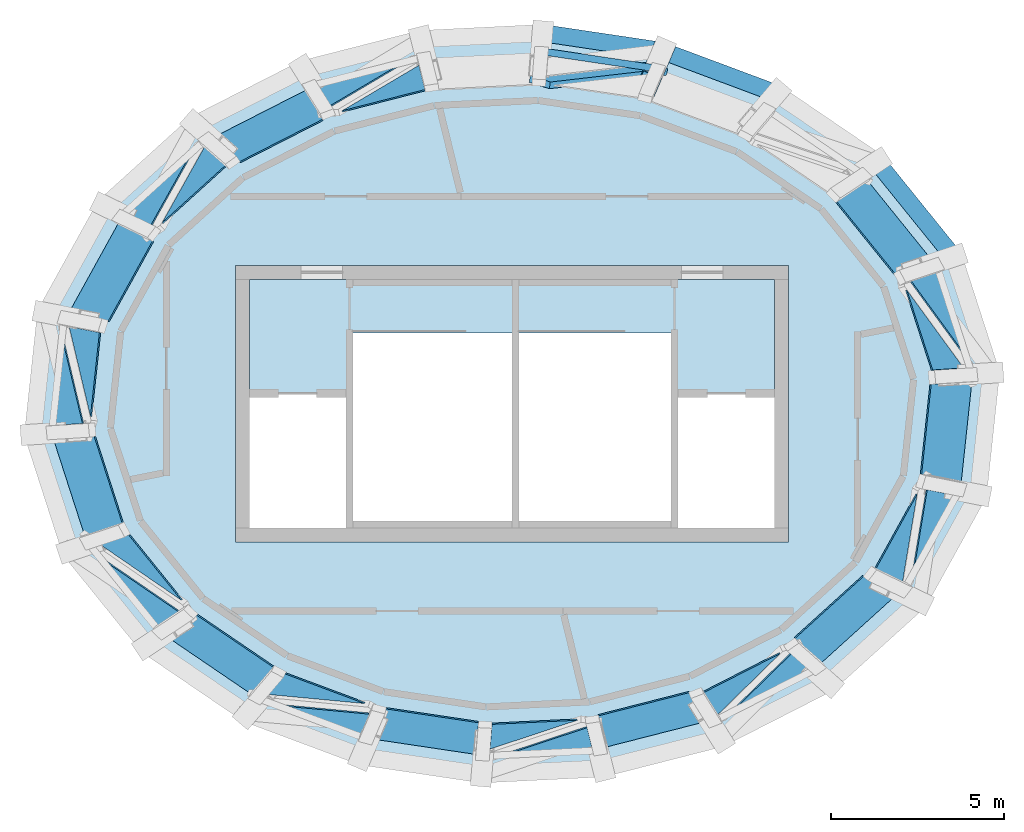
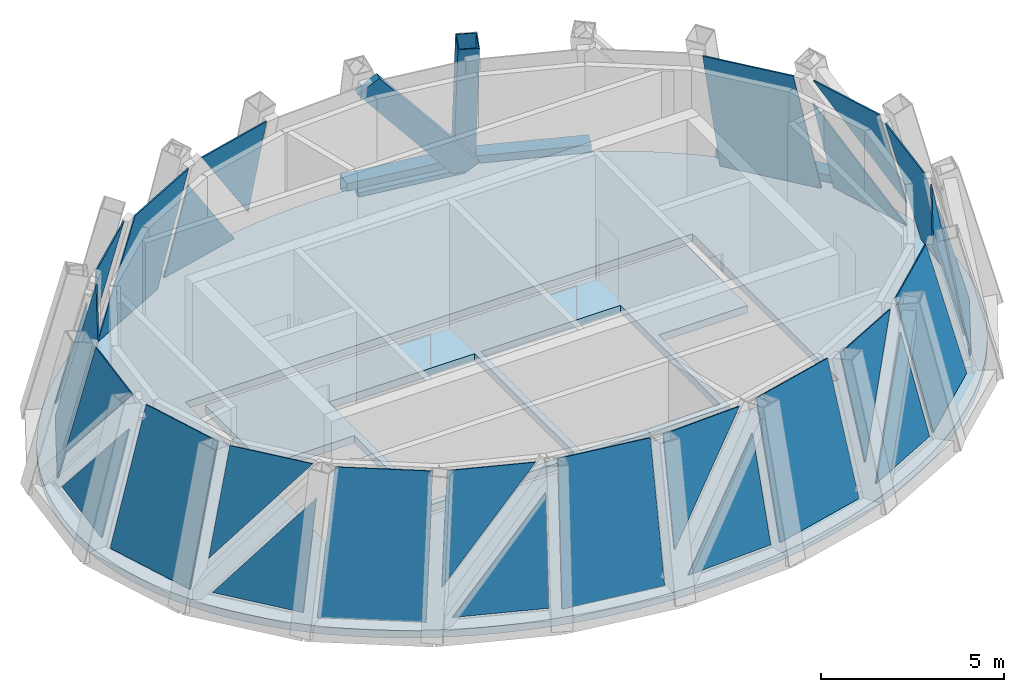
# One storey, part 3 of 6: 27 plates, 3 beams, 3 members, 2 slabs, 1 element without a shape of its own.
"""IFC4 building model written with IfcOpenShell, lengths in metres."""

from ifc_helpers import new_model, si_unit, direction, frame, origin, origin_2d, place, context, subcontext, project, spatial, polyline, rectangle, hollow_rectangle, outline, extrude, source, transform, mapped, material, layer, layer_set, material_profile, profile_set, type_object, element, aggregate, save


model = new_model("IFC4")

# Units and contexts
model_context = context("Model", 3, precision=1e-05, world=origin(), true_north=direction((0.0, 1.0)))
body_context = subcontext(model_context, "Body", "Model", "MODEL_VIEW")
ifc_project = project(units=[si_unit("LENGTHUNIT", "METRE"), si_unit("AREAUNIT", "SQUARE_METRE"), si_unit("VOLUMEUNIT", "CUBIC_METRE"), si_unit("PLANEANGLEUNIT", "RADIAN"), si_unit("MASSUNIT", "GRAM", prefix="KILO")], contexts=[model_context])

# Site, building, storey
site_placement = place(None, origin())
site = spatial("IfcSite", under=ifc_project, at=site_placement, CompositionType="ELEMENT")
building_placement = place(site_placement, origin())
building = spatial("IfcBuilding", under=site, at=building_placement, Name="Embergate Tower", CompositionType="ELEMENT")
storey_placement = place(building_placement, frame((0.0, 0.0, 370.0)))
storey = spatial("IfcBuildingStorey", under=building, at=storey_placement, Name="L84", CompositionType="ELEMENT", Elevation=370.0)

# Beams
ifc_material_1 = material(Name="Steel Q355D", Category="steel")
ifc_material_profile_1 = material_profile(ifc_material_1, hollow_rectangle(XDim=0.5, YDim=0.5, WallThickness=0.02490234375, at=origin_2d()), Name="BOX 500x500x25")
ifc_profile_set_1 = profile_set([ifc_material_profile_1], Name="Steel Q355 grade D")
beam_type = type_object("IfcBeamType", Name="Glass point ring beam BOX 500x500x25", PredefinedType="BEAM", material=ifc_profile_set_1)
shared_shape_1 = source(origin(), body_context, "Body", "SweptSolid", [
    extrude(hollow_rectangle(XDim=0.5, YDim=0.5, WallThickness=0.02490234375, at=origin_2d()), origin(), (0.0, 0.0, 1.0), 3.528564453125),
])
beam_1_placement = place(storey_placement, frame((12.77197265625, 4.251953125, 0.0), z_axis=(-0.628308117755, 0.777964593772, 0.0), x_axis=(-0.777964593772, -0.628308117755, 0.0)))
element("IfcBeam", 1, at=beam_1_placement, inside=storey, type_object=beam_type, Name="CRN-L84-RB01", PredefinedType="BEAM", context=body_context, shape_type="MappedRepresentation", body=[
    mapped(shared_shape_1, transform((0.0, 0.0, 0.0))),
])
shared_shape_2 = source(origin(), body_context, "Body", "SweptSolid", [
    extrude(hollow_rectangle(XDim=0.5, YDim=0.5, WallThickness=0.02490234375, at=origin_2d()), origin(), (0.0, 0.0, 1.0), 3.514892578125),
])
beam_2_placement = place(storey_placement, frame((7.64501953125, 8.97607421875, 0.0), z_axis=(-0.936876104657, 0.349661499914, 0.0), x_axis=(-0.349661499914, -0.936876104657, 0.0)))
element("IfcBeam", 2, at=beam_2_placement, inside=storey, type_object=beam_type, Name="CRN-L84-RB03", PredefinedType="BEAM", context=body_context, shape_type="MappedRepresentation", body=[
    mapped(shared_shape_2, transform((0.0, 0.0, 0.0))),
])
shared_shape_3 = source(origin(), body_context, "Body", "SweptSolid", [
    extrude(hollow_rectangle(XDim=0.5, YDim=0.5, WallThickness=0.02490234375, at=origin_2d()), origin(), (0.0, 0.0, 1.0), 3.511474609375),
])
beam_3_placement = place(storey_placement, frame((4.35205078125, 10.205078125, 0.0), z_axis=(-0.989067535064, 0.14746325333, 0.0), x_axis=(-0.14746325333, -0.989067535064, 0.0)))
element("IfcBeam", 3, at=beam_3_placement, inside=storey, type_object=beam_type, Name="CRN-L84-RB04", PredefinedType="BEAM", context=body_context, shape_type="MappedRepresentation", body=[
    mapped(shared_shape_3, transform((0.0, 0.0, 0.0))),
])

# Member
ifc_material_profile_2 = material_profile(ifc_material_1, hollow_rectangle(XDim=0.60009765625, YDim=0.60009765625, WallThickness=0.028076171875, at=origin_2d()), Name="BOX 600x600x28")
ifc_profile_set_2 = profile_set([ifc_material_profile_2], Name="Steel Q355 grade D")
member_type_1 = type_object("IfcMemberType", Name="Glass point hip BOX 600x600x28", PredefinedType="MEMBER", material=ifc_profile_set_2)
shared_shape_4 = source(origin(), body_context, "Body", "SweptSolid", [
    extrude(hollow_rectangle(XDim=0.60009765625, YDim=0.60009765625, WallThickness=0.028076171875, at=origin_2d()), origin(), (0.0, 0.0, 1.0), 4.906005859375),
])
member_1_placement = place(storey_placement, frame((4.364990234375, 10.23388671875, -0.14697265625), z_axis=(-0.083551912669, -0.195468679551, 0.977144346145), x_axis=(0.919519969842, -0.393043286498, 0.0)))
element("IfcMember", 4, at=member_1_placement, inside=storey, type_object=member_type_1, Name="CRN-L84-HP04", PredefinedType="MEMBER", context=body_context, shape_type="MappedRepresentation", body=[
    mapped(shared_shape_4, transform((0.0, 0.0, 0.0))),
])

# Curtain wall, members
ifc_material_2 = material(Name="Aluminium and glass", Category="aluminium")
curtain_wall_type = type_object("IfcCurtainWallType", Name="Crown facet glazing", PredefinedType="NOTDEFINED", material=ifc_material_2)
curtain_wall_placement = place(storey_placement, origin())
curtain_wall = element("IfcCurtainWall", 5, at=curtain_wall_placement, inside=storey, type_object=curtain_wall_type, Name="Crown facet glazing L84", ObjectType="CROWN FACET GLAZING", PredefinedType="USERDEFINED")
ifc_material_3 = material(Name="Aluminium, thermally broken", Category="aluminium")
ifc_material_profile_3 = material_profile(ifc_material_3, rectangle(XDim=0.199951171875, YDim=0.139892578125, at=origin_2d()), Name="AL 140x200")
ifc_profile_set_3 = profile_set([ifc_material_profile_3], Name="Aluminium, thermally broken")
member_type_2 = type_object("IfcMemberType", Name="Crown facet transom", PredefinedType="USERDEFINED", material=ifc_profile_set_3)
shared_shape_5 = source(origin(), body_context, "Body", "SweptSolid", [
    extrude(rectangle(XDim=0.199951171875, YDim=0.139892578125, at=origin_2d()), origin(), (0.0, 0.0, 1.0), 3.099365234375),
])
member_2_placement = place(storey_placement, frame((4.067138671875, 9.7158203125, 0.070068359375), z_axis=(-0.989056207972, 0.147539206557, 0.0), x_axis=(-0.147539206557, -0.989056207972, 0.0)))
member_2 = element("IfcMember", 6, at=member_2_placement, type_object=member_type_2, Name="CW transom 5.1", ObjectType="TRANSOM", PredefinedType="USERDEFINED", context=body_context, shape_type="MappedRepresentation", body=[
    mapped(shared_shape_5, transform((0.0, 0.0, 0.0))),
])
ifc_material_profile_4 = material_profile(ifc_material_3, rectangle(XDim=0.199951171875, YDim=0.760009765625, at=origin_2d()), Name="AL 760x200")
ifc_profile_set_4 = profile_set([ifc_material_profile_4], Name="Aluminium, thermally broken")
member_type_3 = type_object("IfcMemberType", Name="Crown diagonal cover mullion", PredefinedType="MULLION", material=ifc_profile_set_4)
shared_shape_6 = source(origin(), body_context, "Body", "SweptSolid", [
    extrude(rectangle(XDim=0.199951171875, YDim=0.760009765625, at=origin_2d()), origin(), (0.0, 0.0, 1.0), 5.4208984375),
])
member_3_placement = place(storey_placement, frame((4.19580078125, 9.69189453125, 0.09326171875), z_axis=(-0.625705209433, -0.072149985281, 0.77671575915), x_axis=(0.144293807658, 0.967824712559, 0.20614223932)))
member_3 = element("IfcMember", 7, at=member_3_placement, type_object=member_type_3, Name="CW diagonal mullion 5", PredefinedType="MULLION", context=body_context, shape_type="MappedRepresentation", body=[
    mapped(shared_shape_6, transform((0.0, 0.0, 0.0))),
])

# Slab
ifc_material_4 = material(Name="Concrete C50", Category="concrete")
ifc_layer_1 = layer(ifc_material_4, 0.25)
ifc_layer_set_1 = layer_set([ifc_layer_1], Name="Concrete C50")
slab_type_1 = type_object("IfcSlabType", Name="Crown floor slab C50 250", PredefinedType="FLOOR", material=ifc_layer_set_1)
shared_shape_7 = source(origin(), body_context, "Body", "SweptSolid", [
    extrude(outline(polyline([(0.0, 0.0), (0.580078125, 0.0), (1.158935546875, 0.01904296875), (1.738037109375, 0.05712890625), (2.31494140625, 0.114013671875), (2.887939453125, 0.18896484375), (3.462158203125, 0.2841796875), (4.030029296875, 0.398193359375), (4.592041015625, 0.531005859375), (5.154052734375, 0.68408203125), (5.70703125, 0.857177734375), (6.25, 1.047119140625), (6.7939453125, 1.260986328125), (7.324951171875, 1.4931640625), (7.842041015625, 1.744140625), (8.359130859375, 2.01904296875), (8.858154296875, 2.31298828125), (9.340087890625, 2.6240234375), (9.818115234375, 2.963134765625), (10.275146484375, 3.320068359375), (10.708984375, 3.693115234375), (11.135009765625, 4.09619140625), (11.53515625, 4.51513671875), (11.906982421875, 4.948974609375), (12.26416015625, 5.4150390625), (12.590087890625, 5.89404296875), (12.883056640625, 6.385009765625), (13.152099609375, 6.905029296875), (13.385009765625, 7.43505859375), (13.580078125, 7.97412109375), (13.741943359375, 8.5341796875), (13.864013671875, 9.10009765625), (13.946044921875, 9.671142578125), (13.987060546875, 10.2490234375), (13.987060546875, 10.8271484375), (13.946044921875, 11.405029296875), (13.864013671875, 11.97607421875), (13.741943359375, 12.5419921875), (13.580078125, 13.10205078125), (13.385009765625, 13.64111328125), (13.152099609375, 14.171142578125), (12.883056640625, 14.691162109375), (12.590087890625, 15.18212890625), (12.26416015625, 15.6611328125), (11.906982421875, 16.127197265625), (11.53515625, 16.56103515625), (11.135009765625, 16.97998046875), (10.708984375, 17.383056640625), (10.275146484375, 17.756103515625), (9.818115234375, 18.113037109375), (9.340087890625, 18.4521484375), (8.858154296875, 18.76318359375), (8.359130859375, 19.05712890625), (7.842041015625, 19.33203125), (7.324951171875, 19.5830078125), (6.7939453125, 19.815185546875), (6.25, 20.029052734375), (5.70703125, 20.218994140625), (5.154052734375, 20.39208984375), (4.592041015625, 20.545166015625), (4.030029296875, 20.677978515625), (3.462158203125, 20.7919921875), (2.887939453125, 20.88720703125), (2.31494140625, 20.962158203125), (1.738037109375, 21.01904296875), (1.158935546875, 21.05712890625), (0.580078125, 21.076171875), (0.0, 21.076171875), (-0.578857421875, 21.05712890625), (-1.157958984375, 21.01904296875), (-1.73486328125, 20.962158203125), (-2.307861328125, 20.88720703125), (-2.882080078125, 20.7919921875), (-3.449951171875, 20.677978515625), (-4.011962890625, 20.545166015625), (-4.573974609375, 20.39208984375), (-5.126953125, 20.218994140625), (-5.669921875, 20.029052734375), (-6.2138671875, 19.815185546875), (-6.744873046875, 19.5830078125), (-7.261962890625, 19.33203125), (-7.779052734375, 19.05712890625), (-8.278076171875, 18.76318359375), (-8.760009765625, 18.4521484375), (-9.238037109375, 18.113037109375), (-9.695068359375, 17.756103515625), (-10.12890625, 17.383056640625), (-10.554931640625, 16.97998046875), (-10.955078125, 16.56103515625), (-11.326904296875, 16.127197265625), (-11.68408203125, 15.6611328125), (-12.010009765625, 15.18212890625), (-12.302978515625, 14.691162109375), (-12.572021484375, 14.171142578125), (-12.804931640625, 13.64111328125), (-13.0, 13.10205078125), (-13.161865234375, 12.5419921875), (-13.283935546875, 11.97607421875), (-13.365966796875, 11.405029296875), (-13.406982421875, 10.8271484375), (-13.406982421875, 10.2490234375), (-13.365966796875, 9.671142578125), (-13.283935546875, 9.10009765625), (-13.161865234375, 8.5341796875), (-13.0, 7.97412109375), (-12.804931640625, 7.43505859375), (-12.572021484375, 6.905029296875), (-12.302978515625, 6.385009765625), (-12.010009765625, 5.89404296875), (-11.68408203125, 5.4150390625), (-11.326904296875, 4.948974609375), (-10.955078125, 4.51513671875), (-10.554931640625, 4.09619140625), (-10.12890625, 3.693115234375), (-9.695068359375, 3.320068359375), (-9.238037109375, 2.963134765625), (-8.760009765625, 2.6240234375), (-8.278076171875, 2.31298828125), (-7.779052734375, 2.01904296875), (-7.261962890625, 1.744140625), (-6.744873046875, 1.4931640625), (-6.2138671875, 1.260986328125), (-5.669921875, 1.047119140625), (-5.126953125, 0.857177734375), (-4.573974609375, 0.68408203125), (-4.011962890625, 0.531005859375), (-3.449951171875, 0.398193359375), (-2.882080078125, 0.2841796875), (-2.307861328125, 0.18896484375), (-1.73486328125, 0.114013671875), (-1.157958984375, 0.05712890625), (-0.578857421875, 0.01904296875), (0.0, 0.0)]), holes=[polyline([(-7.7099609375, 6.5380859375), (-7.7099609375, 14.5380859375), (8.2900390625, 14.5380859375), (8.2900390625, 6.5380859375), (-7.7099609375, 6.5380859375)])]), origin(), (0.0, 0.0, 1.0), 0.25),
])
slab_1_placement = place(storey_placement, frame((-0.2900390625, -10.5380859375, -0.25)))
element("IfcSlab", 8, at=slab_1_placement, inside=storey, type_object=slab_type_1, Name="SLB-L84-00", PredefinedType="FLOOR", context=body_context, shape_type="MappedRepresentation", body=[
    mapped(shared_shape_7, transform((0.0, 0.0, 0.0))),
])

# Plate
ifc_material_5 = material(Name="Triple glazing, low-emissivity coating", Category="glass")
ifc_layer_2 = layer(ifc_material_5, 0.0400390625)
ifc_layer_set_2 = layer_set([ifc_layer_2], Name="Triple glazing, low-emissivity coating")
plate_type = type_object("IfcPlateType", Name="Crown facet glazing unit", PredefinedType="CURTAIN_PANEL", material=ifc_layer_set_2)
shared_shape_8 = source(origin(), body_context, "Body", "SweptSolid", [
    extrude(outline(polyline([(0.0, 0.0), (2.6474609375, 0.0), (2.6396484375, 3.39599609375), (0.0, 0.0)])), origin(), (0.0, 0.0, -1.0), 0.0400390625),
])
plate_1_placement = place(storey_placement, frame((13.188720703125, 1.301513671875, 0.149658203125), z_axis=(0.920113668861, 0.297104248924, 0.255186013813), x_axis=(-0.307277602347, 0.951619921553, 0.0)))
plate_1 = element("IfcPlate", 9, at=plate_1_placement, type_object=plate_type, Name="CW panel 1.1", PredefinedType="CURTAIN_PANEL", context=body_context, shape_type="MappedRepresentation", body=[
    mapped(shared_shape_8, transform((0.0, 0.0, 0.0))),
])

shared_shape_9 = source(origin(), body_context, "Body", "SweptSolid", [
    extrude(outline(polyline([(0.0, 0.0), (4.316162109375, 0.0), (2.826171875, 1.9169921875), (0.0, 0.0)])), origin(), (0.0, 0.0, -1.0), 0.0400390625),
])
plate_2_placement = place(storey_placement, frame((13.066162109375, 1.033203125, 1.0810546875), z_axis=(0.920065441298, 0.297419442558, 0.254992664438), x_axis=(-0.380333030994, 0.522024619727, 0.763437673903)))
plate_2 = element("IfcPlate", 10, at=plate_2_placement, type_object=plate_type, Name="CW panel 1.2", PredefinedType="CURTAIN_PANEL", context=body_context, shape_type="MappedRepresentation", body=[
    mapped(shared_shape_9, transform((0.0, 0.0, 0.0))),
])

shared_shape_10 = source(origin(), body_context, "Body", "SweptSolid", [
    extrude(outline(polyline([(0.0, 0.0), (2.95947265625, 0.0), (3.060791015625, 4.4716796875), (0.40185546875, 4.471923828125), (0.0, 0.0)])), origin(), (0.0, 0.0, -1.0), 0.0400390625),
])
plate_3_placement = place(storey_placement, frame((12.1552734375, 4.14208984375, 0.01220703125), z_axis=(0.755203090824, 0.609980264616, 0.239984100282), x_axis=(-0.628343449907, 0.777936057096, 5.306631e-06)))
plate_3 = element("IfcPlate", 11, at=plate_3_placement, type_object=plate_type, Name="CW panel 2.1", PredefinedType="CURTAIN_PANEL", context=body_context, shape_type="MappedRepresentation", body=[
    mapped(shared_shape_10, transform((0.0, 0.0, 0.0))),
])

shared_shape_11 = source(origin(), body_context, "Body", "SweptSolid", [
    extrude(outline(polyline([(0.0, 0.0), (2.677734375, 0.0), (2.45068359375, 3.43359375), (0.0, 0.0)])), origin(), (0.0, 0.0, -1.0), 0.0400390625),
])
plate_4_placement = place(storey_placement, frame((-3.052734375, 9.929931640625, 0.1474609375), z_axis=(-0.241999068805, 0.947577046496, 0.208648488254), x_axis=(-0.968901899538, -0.247445163766, 0.0)))
plate_4 = element("IfcPlate", 12, at=plate_4_placement, type_object=plate_type, Name="CW panel 7.1", PredefinedType="CURTAIN_PANEL", context=body_context, shape_type="MappedRepresentation", body=[
    mapped(shared_shape_11, transform((0.0, 0.0, 0.0))),
])

shared_shape_12 = source(origin(), body_context, "Body", "SweptSolid", [
    extrude(outline(polyline([(0.0, 0.0), (4.2705078125, 0.0), (2.83154296875, 2.015869140625), (0.0, 0.0)])), origin(), (0.0, 0.0, -1.0), 0.0400390625),
])
plate_5_placement = place(storey_placement, frame((-2.69091796875, 9.792236328125, 0.976806640625), z_axis=(-0.242170750997, 0.947570187718, 0.208480374881), x_axis=(-0.520873749342, -0.308259384969, 0.796031839078)))
plate_5 = element("IfcPlate", 13, at=plate_5_placement, type_object=plate_type, Name="CW panel 7.2", PredefinedType="CURTAIN_PANEL", context=body_context, shape_type="MappedRepresentation", body=[
    mapped(shared_shape_12, transform((0.0, 0.0, 0.0))),
])

shared_shape_13 = source(origin(), body_context, "Body", "SweptSolid", [
    extrude(outline(polyline([(0.0, 0.0), (2.9921875, 0.0), (2.609130859375, 4.458984375), (-0.082275390625, 4.459228515625), (0.0, 0.0)])), origin(), (0.0, 0.0, -1.0), 0.0400390625),
])
plate_6_placement = place(storey_placement, frame((-5.9921875, 9.055908203125, 0.00634765625), z_axis=(-0.44366618639, 0.869367266628, 0.217625528762), x_axis=(-0.890716101502, -0.454560036193, -4.593789e-06)))
plate_6 = element("IfcPlate", 14, at=plate_6_placement, type_object=plate_type, Name="CW panel 8.1", PredefinedType="CURTAIN_PANEL", context=body_context, shape_type="MappedRepresentation", body=[
    mapped(shared_shape_13, transform((0.0, 0.0, 0.0))),
])

shared_shape_14 = source(origin(), body_context, "Body", "SweptSolid", [
    extrude(outline(polyline([(0.0, 0.0), (2.666748046875, 0.0), (2.347412109375, 3.418212890625), (0.0, 0.0)])), origin(), (0.0, 0.0, -1.0), 0.0400390625),
])
plate_7_placement = place(storey_placement, frame((-9.236083984375, 7.3388671875, 0.1484375), z_axis=(-0.653046690788, 0.72099631919, 0.231720364588), x_axis=(-0.741169135731, -0.671318338972, 0.0)))
plate_7 = element("IfcPlate", 15, at=plate_7_placement, type_object=plate_type, Name="CW panel 9.1", PredefinedType="CURTAIN_PANEL", context=body_context, shape_type="MappedRepresentation", body=[
    mapped(shared_shape_14, transform((0.0, 0.0, 0.0))),
])

shared_shape_15 = source(origin(), body_context, "Body", "SweptSolid", [
    extrude(outline(polyline([(0.0, 0.0), (4.215087890625, 0.0), (2.81298828125, 2.041748046875), (0.0, 0.0)])), origin(), (0.0, 0.0, -1.0), 0.0400390625),
])
plate_8_placement = place(storey_placement, frame((-8.893310546875, 7.4365234375, 1.00537109375), z_axis=(-0.653141106452, 0.720928945891, 0.231663872968), x_axis=(-0.291334639193, -0.521622218801, 0.801894250422)))
plate_8 = element("IfcPlate", 16, at=plate_8_placement, type_object=plate_type, Name="CW panel 9.2", PredefinedType="CURTAIN_PANEL", context=body_context, shape_type="MappedRepresentation", body=[
    mapped(shared_shape_15, transform((0.0, 0.0, 0.0))),
])

shared_shape_16 = source(origin(), body_context, "Body", "SweptSolid", [
    extrude(outline(polyline([(0.0, 0.0), (2.945556640625, 0.0), (2.586669921875, 4.477294921875), (-0.0595703125, 4.4775390625), (0.0, 0.0)])), origin(), (0.0, 0.0, -1.0), 0.0400390625),
])
plate_9_placement = place(storey_placement, frame((-11.40283203125, 5.194580078125, 0.00439453125), z_axis=(-0.847760796677, 0.4686116424, 0.248404428755), x_axis=(-0.483776314111, -0.875191680642, -6.370999e-06)))
plate_9 = element("IfcPlate", 17, at=plate_9_placement, type_object=plate_type, Name="CW panel 10.1", PredefinedType="CURTAIN_PANEL", context=body_context, shape_type="MappedRepresentation", body=[
    mapped(shared_shape_16, transform((0.0, 0.0, 0.0))),
])

shared_shape_17 = source(origin(), body_context, "Body", "SweptSolid", [
    extrude(outline(polyline([(0.0, 0.0), (2.6455078125, 0.0), (2.49462890625, 3.39404296875), (0.0, 0.0)])), origin(), (0.0, 0.0, -1.0), 0.0400390625),
])
plate_10_placement = place(storey_placement, frame((-13.03662109375, 1.998779296875, 0.14990234375), z_axis=(-0.960456869195, 0.102151607619, 0.259012840372), x_axis=(-0.105760814045, -0.99439159802, 0.0)))
plate_10 = element("IfcPlate", 18, at=plate_10_placement, type_object=plate_type, Name="CW panel 11.1", PredefinedType="CURTAIN_PANEL", context=body_context, shape_type="MappedRepresentation", body=[
    mapped(shared_shape_17, transform((0.0, 0.0, 0.0))),
])

shared_shape_18 = source(origin(), body_context, "Body", "SweptSolid", [
    extrude(outline(polyline([(0.0, 0.0), (4.258544921875, 0.0), (2.810546875, 1.969970703125), (0.0, 0.0)])), origin(), (0.0, 0.0, -1.0), 0.0400390625),
])
plate_11_placement = place(storey_placement, frame((-12.813232421875, 2.23095703125, 1.060302734375), z_axis=(-0.960436934915, 0.102235705062, 0.259053574886), x_axis=(0.144871613871, -0.611017673382, 0.778247787218)))
plate_11 = element("IfcPlate", 19, at=plate_11_placement, type_object=plate_type, Name="CW panel 11.2", PredefinedType="CURTAIN_PANEL", context=body_context, shape_type="MappedRepresentation", body=[
    mapped(shared_shape_18, transform((0.0, 0.0, 0.0))),
])

shared_shape_19 = source(origin(), body_context, "Body", "SweptSolid", [
    extrude(outline(polyline([(0.0, 0.0), (2.934814453125, 0.0), (2.924560546875, 4.482177734375), (0.2900390625, 4.482177734375), (0.0, 0.0)])), origin(), (0.0, 0.0, -1.0), 0.0400390625),
])
plate_12_placement = place(storey_placement, frame((-13.265380859375, -1.0244140625, 0.019287109375), z_axis=(-0.920156598098, -0.297139199957, 0.25499045242), x_axis=(0.307297795855, -0.951613400841, 1.764154e-06)))
plate_12 = element("IfcPlate", 20, at=plate_12_placement, type_object=plate_type, Name="CW panel 12.1", PredefinedType="CURTAIN_PANEL", context=body_context, shape_type="MappedRepresentation", body=[
    mapped(shared_shape_19, transform((0.0, 0.0, 0.0))),
])

shared_shape_20 = source(origin(), body_context, "Body", "SweptSolid", [
    extrude(outline(polyline([(0.0, 0.0), (2.654296875, 0.0), (2.7314453125, 3.40185546875), (0.0, 0.0)])), origin(), (0.0, 0.0, -1.0), 0.0400390625),
])
plate_13_placement = place(storey_placement, frame((-11.99560546875, -4.408935546875, 0.14892578125), z_axis=(-0.755239811999, -0.609960174481, 0.239919594696), x_axis=(0.62831141509, -0.777961930732, 0.0)))
plate_13 = element("IfcPlate", 21, at=plate_13_placement, type_object=plate_type, Name="CW panel 13.1", PredefinedType="CURTAIN_PANEL", context=body_context, shape_type="MappedRepresentation", body=[
    mapped(shared_shape_20, transform((0.0, 0.0, 0.0))),
])

shared_shape_21 = source(origin(), body_context, "Body", "SweptSolid", [
    extrude(outline(polyline([(0.0, 0.0), (4.36865234375, 0.0), (2.847900390625, 1.894287109375), (0.0, 0.0)])), origin(), (0.0, 0.0, -1.0), 0.0400390625),
])
plate_14_placement = place(storey_placement, frame((-11.9189453125, -4.07421875, 1.053466796875), z_axis=(-0.755276433731, -0.609899623725, 0.239958241429), x_axis=(0.538891618598, -0.369506521018, 0.757007763718)))
plate_14 = element("IfcPlate", 22, at=plate_14_placement, type_object=plate_type, Name="CW panel 13.2", PredefinedType="CURTAIN_PANEL", context=body_context, shape_type="MappedRepresentation", body=[
    mapped(shared_shape_21, transform((0.0, 0.0, 0.0))),
])

shared_shape_22 = source(origin(), body_context, "Body", "SweptSolid", [
    extrude(outline(polyline([(0.0, 0.0), (2.98193359375, 0.0), (3.0908203125, 4.46240234375), (0.40869140625, 4.46240234375), (0.0, 0.0)])), origin(), (0.0, 0.0, -1.0), 0.0400390625),
])
plate_15_placement = place(storey_placement, frame((-10.021240234375, -6.716552734375, 0.01611328125), z_axis=(-0.548041483437, -0.805931002586, 0.223887810084), x_axis=(0.826922694533, -0.562315620683, 1.555476e-06)))
plate_15 = element("IfcPlate", 23, at=plate_15_placement, type_object=plate_type, Name="CW panel 14.1", PredefinedType="CURTAIN_PANEL", context=body_context, shape_type="MappedRepresentation", body=[
    mapped(shared_shape_22, transform((0.0, 0.0, 0.0))),
])

shared_shape_23 = source(origin(), body_context, "Body", "SweptSolid", [
    extrude(outline(polyline([(0.0, 0.0), (2.666259765625, 0.0), (2.699462890625, 3.418212890625), (0.0, 0.0)])), origin(), (0.0, 0.0, -1.0), 0.0400390625),
])
plate_16_placement = place(storey_placement, frame((-6.9072265625, -8.72021484375, 0.147705078125), z_axis=(-0.341618528199, -0.915516181386, 0.212430936571), x_axis=(0.936899907102, -0.349597717486, 0.0)))
plate_16 = element("IfcPlate", 24, at=plate_16_placement, type_object=plate_type, Name="CW panel 15.1", PredefinedType="CURTAIN_PANEL", context=body_context, shape_type="MappedRepresentation", body=[
    mapped(shared_shape_23, transform((0.0, 0.0, 0.0))),
])

shared_shape_24 = source(origin(), body_context, "Body", "SweptSolid", [
    extrude(outline(polyline([(0.0, 0.0), (4.382080078125, 0.0), (2.863037109375, 1.923095703125), (0.0, 0.0)])), origin(), (0.0, 0.0, -1.0), 0.0400390625),
])
plate_17_placement = place(storey_placement, frame((-7.064697265625, -8.4111328125, 1.013916015625), z_axis=(-0.341506194641, -0.915583170069, 0.212322814854), x_axis=(0.638978636926, -0.060504908859, 0.766841220564)))
plate_17 = element("IfcPlate", 25, at=plate_17_placement, type_object=plate_type, Name="CW panel 15.2", PredefinedType="CURTAIN_PANEL", context=body_context, shape_type="MappedRepresentation", body=[
    mapped(shared_shape_24, transform((0.0, 0.0, 0.0))),
])

shared_shape_25 = source(origin(), body_context, "Body", "SweptSolid", [
    extrude(outline(polyline([(0.0, 0.0), (3.0068359375, 0.0), (2.9462890625, 4.453369140625), (0.239013671875, 4.453369140625), (0.0, 0.0)])), origin(), (0.0, 0.0, -1.0), 0.0400390625),
])
plate_18_placement = place(storey_placement, frame((-4.01806640625, -9.704345703125, 0.013427734375), z_axis=(-0.144364117037, -0.967820719745, 0.206111756444), x_axis=(0.989057288742, -0.147531961233, -5.17768e-07)))
plate_18 = element("IfcPlate", 26, at=plate_18_placement, type_object=plate_type, Name="CW panel 16.1", PredefinedType="CURTAIN_PANEL", context=body_context, shape_type="MappedRepresentation", body=[
    mapped(shared_shape_25, transform((0.0, 0.0, 0.0))),
])

shared_shape_26 = source(origin(), body_context, "Body", "SweptSolid", [
    extrude(outline(polyline([(0.0, 0.0), (2.676513671875, 0.0), (2.537353515625, 3.431640625), (0.0, 0.0)])), origin(), (0.0, 0.0, -1.0), 0.0400390625),
])
plate_19_placement = place(storey_placement, frame((-0.32666015625, -10.19970703125, 0.147216796875), z_axis=(0.047944897825, -0.977647357886, 0.204711822794), x_axis=(0.998799650181, 0.04898222942, 0.0)))
plate_19 = element("IfcPlate", 27, at=plate_19_placement, type_object=plate_type, Name="CW panel 17.1", PredefinedType="CURTAIN_PANEL", context=body_context, shape_type="MappedRepresentation", body=[
    mapped(shared_shape_26, transform((0.0, 0.0, 0.0))),
])

shared_shape_27 = source(origin(), body_context, "Body", "SweptSolid", [
    extrude(outline(polyline([(0.0, 0.0), (4.311767578125, 0.0), (2.84326171875, 1.986083984375), (0.0, 0.0)])), origin(), (0.0, 0.0, -1.0), 0.0400390625),
])
plate_20_placement = place(storey_placement, frame((-0.637939453125, -9.993408203125, 0.984619140625), z_axis=(0.047695767449, -0.977618113738, 0.20490958362), x_axis=(0.585816440435, 0.193535723314, 0.786996201972)))
plate_20 = element("IfcPlate", 28, at=plate_20_placement, type_object=plate_type, Name="CW panel 17.2", PredefinedType="CURTAIN_PANEL", context=body_context, shape_type="MappedRepresentation", body=[
    mapped(shared_shape_27, transform((0.0, 0.0, 0.0))),
])

shared_shape_28 = source(origin(), body_context, "Body", "SweptSolid", [
    extrude(outline(polyline([(0.0, 0.0), (3.00341796875, 0.0), (2.709228515625, 4.45458984375), (0.00537109375, 4.45458984375), (0.0, 0.0)])), origin(), (0.0, 0.0, -1.0), 0.0400390625),
])
plate_21_placement = place(storey_placement, frame((2.725830078125, -9.93359375, 0.007080078125), z_axis=(0.241992786094, -0.947595887318, 0.208570193978), x_axis=(0.968904467204, 0.24743510952, 2.879997e-06)))
plate_21 = element("IfcPlate", 29, at=plate_21_placement, type_object=plate_type, Name="CW panel 18.1", PredefinedType="CURTAIN_PANEL", context=body_context, shape_type="MappedRepresentation", body=[
    mapped(shared_shape_28, transform((0.0, 0.0, 0.0))),
])

shared_shape_29 = source(origin(), body_context, "Body", "SweptSolid", [
    extrude(outline(polyline([(0.0, 0.0), (2.67578125, 0.0), (2.380859375, 3.429443359375), (0.0, 0.0)])), origin(), (0.0, 0.0, -1.0), 0.0400390625),
])
plate_22_placement = place(storey_placement, frame((6.299560546875, -8.984619140625, 0.14794921875), z_axis=(0.44368340254, -0.869377233158, 0.217550602794), x_axis=(0.890710604135, 0.454570808216, 0.0)))
plate_22 = element("IfcPlate", 30, at=plate_22_placement, type_object=plate_type, Name="CW panel 19.1", PredefinedType="CURTAIN_PANEL", context=body_context, shape_type="MappedRepresentation", body=[
    mapped(shared_shape_29, transform((0.0, 0.0, 0.0))),
])

shared_shape_30 = source(origin(), body_context, "Body", "SweptSolid", [
    extrude(outline(polyline([(0.0, 0.0), (4.23486328125, 0.0), (2.8212890625, 2.036865234375), (0.0, 0.0)])), origin(), (0.0, 0.0, -1.0), 0.0400390625),
])
plate_23_placement = place(storey_placement, frame((5.94580078125, -9.004638671875, 0.99560546875), z_axis=(0.443556401024, -0.869428213145, 0.217605839299), x_axis=(0.426658043452, 0.418356630365, 0.801835796025)))
plate_23 = element("IfcPlate", 31, at=plate_23_placement, type_object=plate_type, Name="CW panel 19.2", PredefinedType="CURTAIN_PANEL", context=body_context, shape_type="MappedRepresentation", body=[
    mapped(shared_shape_30, transform((0.0, 0.0, 0.0))),
])

shared_shape_31 = source(origin(), body_context, "Body", "SweptSolid", [
    extrude(outline(polyline([(0.0, 0.0), (2.971923828125, 0.0), (2.55419921875, 4.466796875), (-0.116943359375, 4.466796875), (0.0, 0.0)])), origin(), (0.0, 0.0, -1.0), 0.0400390625),
])
plate_24_placement = place(storey_placement, frame((8.96875, -7.481201171875, 0.005615234375), z_axis=(0.653068334647, -0.720997205699, 0.231656598559), x_axis=(0.741158455835, 0.671330129925, 1.2655e-07)))
plate_24 = element("IfcPlate", 32, at=plate_24_placement, type_object=plate_type, Name="CW panel 20.1", PredefinedType="CURTAIN_PANEL", context=body_context, shape_type="MappedRepresentation", body=[
    mapped(shared_shape_31, transform((0.0, 0.0, 0.0))),
])

shared_shape_32 = source(origin(), body_context, "Body", "SweptSolid", [
    extrude(outline(polyline([(0.0, 0.0), (2.65283203125, 0.0), (2.38037109375, 3.40234375), (0.0, 0.0)])), origin(), (0.0, 0.0, -1.0), 0.0400390625),
])
plate_25_placement = place(storey_placement, frame((11.60205078125, -4.981689453125, 0.1494140625), z_axis=(0.847805125381, -0.468655262264, 0.24817073665), x_axis=(0.483789999582, 0.87518411566, 0.0)))
plate_25 = element("IfcPlate", 33, at=plate_25_placement, type_object=plate_type, Name="CW panel 21.1", PredefinedType="CURTAIN_PANEL", context=body_context, shape_type="MappedRepresentation", body=[
    mapped(shared_shape_32, transform((0.0, 0.0, 0.0))),
])

shared_shape_33 = source(origin(), body_context, "Body", "SweptSolid", [
    extrude(outline(polyline([(0.0, 0.0), (4.221435546875, 0.0), (2.807861328125, 2.02099609375), (0.0, 0.0)])), origin(), (0.0, 0.0, -1.0), 0.0400390625),
])
plate_26_placement = place(storey_placement, frame((11.30224609375, -5.154296875, 1.028076171875), z_axis=(0.847594474566, -0.468914694041, 0.24840011352), x_axis=(0.099356411877, 0.600071088261, 0.793752475557)))
plate_26 = element("IfcPlate", 34, at=plate_26_placement, type_object=plate_type, Name="CW panel 21.2", PredefinedType="CURTAIN_PANEL", context=body_context, shape_type="MappedRepresentation", body=[
    mapped(shared_shape_33, transform((0.0, 0.0, 0.0))),
])

shared_shape_34 = source(origin(), body_context, "Body", "SweptSolid", [
    extrude(outline(polyline([(0.0, 0.0), (2.928955078125, 0.0), (2.72998046875, 4.485107421875), (0.10107421875, 4.485107421875), (0.0, 0.0)])), origin(), (0.0, 0.0, -1.0), 0.0400390625),
])
plate_27_placement = place(storey_placement, frame((12.99560546875, -2.274169921875, 0.019287109375), z_axis=(0.960453090721, -0.102163223008, 0.259022270063), x_axis=(0.10577869087, 0.994389696307, -2.090275e-05)))
plate_27 = element("IfcPlate", 35, at=plate_27_placement, type_object=plate_type, Name="CW panel 22.1", PredefinedType="CURTAIN_PANEL", context=body_context, shape_type="MappedRepresentation", body=[
    mapped(shared_shape_34, transform((0.0, 0.0, 0.0))),
])

aggregate(curtain_wall, [member_2, member_3, plate_1, plate_2, plate_3, plate_4, plate_5, plate_6, plate_7, plate_8, plate_9, plate_10, plate_11, plate_12, plate_13, plate_14, plate_15, plate_16, plate_17, plate_18, plate_19, plate_20, plate_21, plate_22, plate_23, plate_24, plate_25, plate_26, plate_27])

# Slab
ifc_material_6 = material(Name="Concrete C40", Category="concrete")
ifc_layer_3 = layer(ifc_material_6, 0.25)
ifc_layer_set_3 = layer_set([ifc_layer_3], Name="Concrete C40")
slab_type_2 = type_object("IfcSlabType", Name="Core floor slab 250 reinforced concrete", PredefinedType="FLOOR", material=ifc_layer_set_3)
shared_shape_35 = source(origin(), body_context, "Body", "SweptSolid", [
    extrude(outline(polyline([(0.0, 0.0), (9.60009765625, 0.0), (9.60009765625, 3.900146484375), (12.400146484375, 3.900146484375), (12.400146484375, 7.2001953125), (-2.800048828125, 7.2001953125), (-2.800048828125, 3.900146484375), (0.0, 3.900146484375), (0.0, 0.0)]), holes=[polyline([(0.199951171875, 0.2001953125), (0.199951171875, 5.64013671875), (4.800048828125, 5.64013671875), (4.800048828125, 0.2001953125), (0.199951171875, 0.2001953125)]), polyline([(5.0, 0.2001953125), (5.0, 5.64013671875), (9.400146484375, 5.64013671875), (9.400146484375, 0.2001953125), (5.0, 0.2001953125)])]), origin(), (0.0, 0.0, 1.0), 0.25),
])
slab_2_placement = place(storey_placement, frame((-4.800048828125, -3.60009765625, -0.25)))
element("IfcSlab", 36, at=slab_2_placement, inside=storey, type_object=slab_type_2, Name="Core floor slab", PredefinedType="FLOOR", context=body_context, shape_type="MappedRepresentation", body=[
    mapped(shared_shape_35, transform((0.0, 0.0, 0.0))),
])

save(model, "model.ifc")
